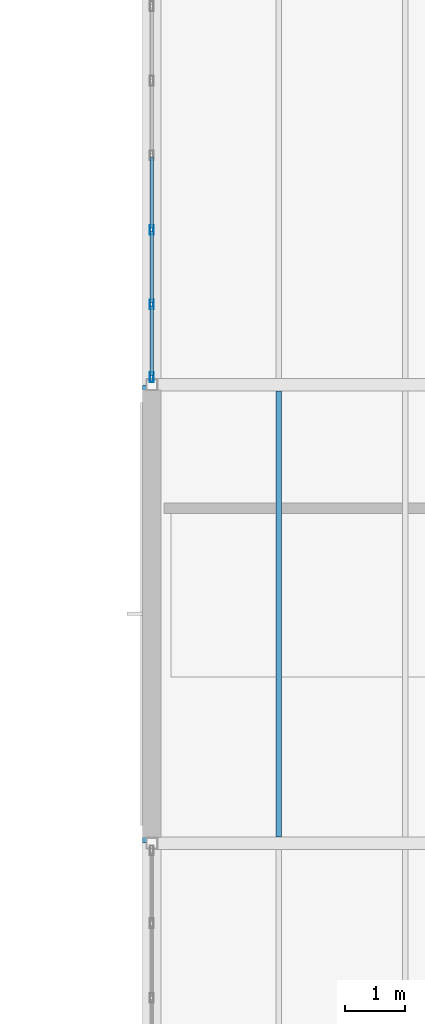
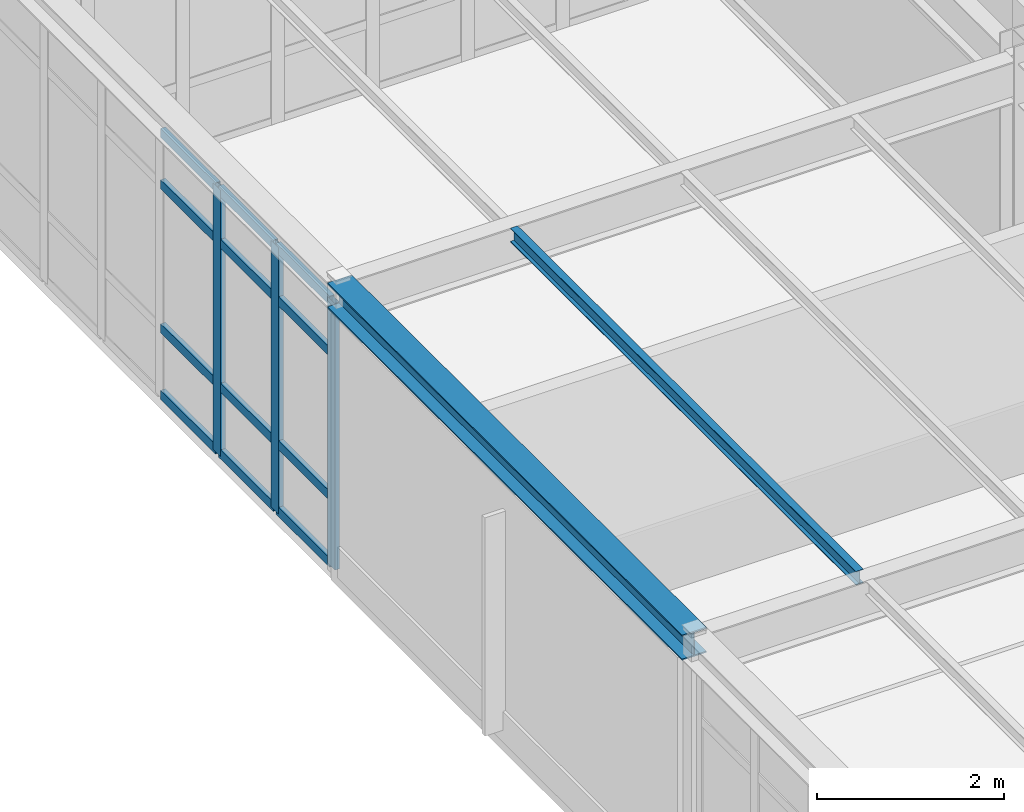
# One storey, part 15 of 65: 15 members, 2 beams, 1 element without a shape of its own.
"""IFC4 building model written with IfcOpenShell, lengths in metres."""

from ifc_helpers import new_model, si_unit, direction, frame, origin, origin_2d, place, context, subcontext, project, spatial, hollow_rectangle, i_section, extrude, material, layer, layer_set, material_profile, profile_set, type_object, element, aggregate, save


model = new_model("IFC4")

# Units and contexts
model_context = context("Model", 3, precision=1e-05, world=origin(), true_north=direction((0.0, 1.0)))
body_context = subcontext(model_context, "Body", "Model", "MODEL_VIEW")
ifc_project = project(units=[si_unit("LENGTHUNIT", "METRE"), si_unit("AREAUNIT", "SQUARE_METRE"), si_unit("VOLUMEUNIT", "CUBIC_METRE"), si_unit("PLANEANGLEUNIT", "RADIAN"), si_unit("MASSUNIT", "GRAM", prefix="KILO")], contexts=[model_context])

# Site, building, storey
site_placement = place(None, origin())
site = spatial("IfcSite", under=ifc_project, at=site_placement, CompositionType="ELEMENT")
building_placement = place(site_placement, origin())
building = spatial("IfcBuilding", under=site, at=building_placement, Name="Montecoro Central Library", CompositionType="ELEMENT")
storey_placement = place(building_placement, frame((0.0, 0.0, 17.340087890625)))
storey = spatial("IfcBuildingStorey", under=building, at=storey_placement, Name="L04", CompositionType="ELEMENT", Elevation=17.340087890625)

# Beams
ifc_material_1 = material(Name="Steel S355", Category="steel")
ifc_material_profile_1 = material_profile(ifc_material_1, i_section(OverallWidth=0.091064453125, OverallDepth=0.179931640625, WebThickness=0.00537109375, FlangeThickness=0.008056640625, at=origin_2d()), Name="IPE 180")
ifc_profile_set_1 = profile_set([ifc_material_profile_1], Name="Steel S355")
beam_type_1 = type_object("IfcBeamType", Name="BM-J-IPE180", PredefinedType="JOIST", material=ifc_profile_set_1)
beam_1_placement = place(storey_placement, frame((68.5, 103.902099609375, 3.73486328125), z_axis=(0.0, 1.0, 0.0), x_axis=(-1.0, 0.0, 0.0)))
element("IfcBeam", 1, at=beam_1_placement, inside=storey, type_object=beam_type_1, Name="V2-L04-JS-910-PQ-1", PredefinedType="JOIST", context=body_context, shape_type="SweptSolid", body=[
    extrude(i_section(OverallWidth=0.091064453125, OverallDepth=0.179931640625, WebThickness=0.00537109375, FlangeThickness=0.008056640625, at=origin_2d()), origin(), (0.0, 0.0, 1.0), 7.39599609375),
])
ifc_material_profile_2 = material_profile(ifc_material_1, i_section(OverallWidth=0.300048828125, OverallDepth=0.330078125, WebThickness=0.009521484375, FlangeThickness=0.0166015625, at=origin_2d()), Name="HEA 340")
ifc_profile_set_2 = profile_set([ifc_material_profile_2], Name="Steel S355")
beam_type_2 = type_object("IfcBeamType", Name="BM-SP-HEA340", PredefinedType="SPANDREL", material=ifc_profile_set_2)
beam_2_placement = place(storey_placement, frame((66.39990234375, 103.804931640625, 3.659912109375), z_axis=(0.0, 1.0, 0.0), x_axis=(-1.0, 0.0, 0.0)))
element("IfcBeam", 2, at=beam_2_placement, inside=storey, type_object=beam_type_2, Name="V2-L04-BY-9-PQ", PredefinedType="SPANDREL", context=body_context, shape_type="SweptSolid", body=[
    extrude(i_section(OverallWidth=0.300048828125, OverallDepth=0.330078125, WebThickness=0.009521484375, FlangeThickness=0.0166015625, at=origin_2d()), origin(), (0.0, 0.0, 1.0), 7.590087890625),
])

# Curtain wall, members
ifc_material_2 = material(Name="Bronze-anodised aluminium and low-E glazing", Category="aluminium")
ifc_layer = layer(ifc_material_2, 0.159912109375)
ifc_layer_set = layer_set([ifc_layer], Name="Bronze-anodised aluminium and low-E glazing")
curtain_wall_type = type_object("IfcCurtainWallType", Name="CWT-023", PredefinedType="NOTDEFINED", material=ifc_layer_set)
curtain_wall_placement = place(storey_placement, origin())
curtain_wall = element("IfcCurtainWall", 3, at=curtain_wall_placement, inside=storey, type_object=curtain_wall_type, Name="V2-L04-CW-W2", PredefinedType="NOTDEFINED")
ifc_material_3 = material(Name="Bronze-anodised aluminium", Category="aluminium")
ifc_material_profile_3 = material_profile(ifc_material_3, hollow_rectangle(XDim=0.06005859375, YDim=0.159912109375, WallThickness=0.00390625, at=origin_2d()), Name="CWM 160x60x4.0")
ifc_profile_set_3 = profile_set([ifc_material_profile_3], Name="Bronze-anodised aluminium")
member_type_1 = type_object("IfcMemberType", Name="CWM-BRZ-60", PredefinedType="MULLION", material=ifc_profile_set_3)
member_1_placement = place(storey_placement, frame((66.39990234375, 113.96435546875, 0.0), z_axis=(0.0, 0.0, 1.0), x_axis=(1.0, 0.0, 0.0)))
member_1 = element("IfcMember", 4, at=member_1_placement, type_object=member_type_1, Name="CW-023 mullion 5", PredefinedType="MULLION", context=body_context, shape_type="SweptSolid", body=[
    extrude(hollow_rectangle(XDim=0.06005859375, YDim=0.159912109375, WallThickness=0.00390625, at=origin_2d()), origin(), (0.0, 0.0, 1.0), 3.47998046875),
])
member_2_placement = place(storey_placement, frame((66.39990234375, 112.728759765625, 0.0), z_axis=(0.0, 0.0, 1.0), x_axis=(1.0, 0.0, 0.0)))
member_2 = element("IfcMember", 5, at=member_2_placement, type_object=member_type_1, Name="CW-023 mullion 6", PredefinedType="MULLION", context=body_context, shape_type="SweptSolid", body=[
    extrude(hollow_rectangle(XDim=0.06005859375, YDim=0.159912109375, WallThickness=0.00390625, at=origin_2d()), origin(), (0.0, 0.0, 1.0), 3.47998046875),
])
member_3_placement = place(storey_placement, frame((66.39990234375, 111.52294921875, 0.0), z_axis=(0.0, 0.0, 1.0), x_axis=(1.0, 0.0, 0.0)))
member_3 = element("IfcMember", 6, at=member_3_placement, type_object=member_type_1, Name="CW-023 mullion 7", PredefinedType="MULLION", context=body_context, shape_type="SweptSolid", body=[
    extrude(hollow_rectangle(XDim=0.06005859375, YDim=0.159912109375, WallThickness=0.00390625, at=origin_2d()), origin(), (0.0, 0.0, 1.0), 3.47998046875),
])
ifc_material_profile_4 = material_profile(ifc_material_3, hollow_rectangle(XDim=0.06005859375, YDim=0.1201171875, WallThickness=0.00390625, at=origin_2d()), Name="CWT 120x60x4.0")
ifc_profile_set_4 = profile_set([ifc_material_profile_4], Name="Bronze-anodised aluminium")
member_type_2 = type_object("IfcMemberType", Name="CWT-BRZ-60", PredefinedType="USERDEFINED", material=ifc_profile_set_4)
member_4_placement = place(storey_placement, frame((66.39990234375, 115.169921875, 0.030029296875), z_axis=(0.0, -1.0, 0.0), x_axis=(1.0, 0.0, 0.0)))
member_4 = element("IfcMember", 7, at=member_4_placement, type_object=member_type_2, Name="CW-023 transom 4.1", ObjectType="TRANSOM", PredefinedType="USERDEFINED", context=body_context, shape_type="SweptSolid", body=[
    extrude(hollow_rectangle(XDim=0.06005859375, YDim=0.1201171875, WallThickness=0.00390625, at=origin_2d()), origin(), (0.0, 0.0, 1.0), 1.175537109375),
])
member_5_placement = place(storey_placement, frame((66.39990234375, 115.169921875, 0.89990234375), z_axis=(0.0, -1.0, 0.0), x_axis=(1.0, 0.0, 0.0)))
member_5 = element("IfcMember", 8, at=member_5_placement, type_object=member_type_2, Name="CW-023 transom 4.2", ObjectType="TRANSOM", PredefinedType="USERDEFINED", context=body_context, shape_type="SweptSolid", body=[
    extrude(hollow_rectangle(XDim=0.06005859375, YDim=0.1201171875, WallThickness=0.00390625, at=origin_2d()), origin(), (0.0, 0.0, 1.0), 1.175537109375),
])
member_6_placement = place(storey_placement, frame((66.39990234375, 115.169921875, 2.780029296875), z_axis=(0.0, -1.0, 0.0), x_axis=(1.0, 0.0, 0.0)))
member_6 = element("IfcMember", 9, at=member_6_placement, type_object=member_type_2, Name="CW-023 transom 4.3", ObjectType="TRANSOM", PredefinedType="USERDEFINED", context=body_context, shape_type="SweptSolid", body=[
    extrude(hollow_rectangle(XDim=0.06005859375, YDim=0.1201171875, WallThickness=0.00390625, at=origin_2d()), origin(), (0.0, 0.0, 1.0), 1.175537109375),
])
member_7_placement = place(storey_placement, frame((66.39990234375, 115.169921875, 3.449951171875), z_axis=(0.0, -1.0, 0.0), x_axis=(1.0, 0.0, 0.0)))
member_7 = element("IfcMember", 10, at=member_7_placement, type_object=member_type_2, Name="CW-023 transom 4.4", ObjectType="TRANSOM", PredefinedType="USERDEFINED", context=body_context, shape_type="SweptSolid", body=[
    extrude(hollow_rectangle(XDim=0.06005859375, YDim=0.1201171875, WallThickness=0.00390625, at=origin_2d()), origin(), (0.0, 0.0, 1.0), 1.175537109375),
])
member_8_placement = place(storey_placement, frame((66.39990234375, 113.934326171875, 0.030029296875), z_axis=(0.0, -1.0, 0.0), x_axis=(1.0, 0.0, 0.0)))
member_8 = element("IfcMember", 11, at=member_8_placement, type_object=member_type_2, Name="CW-023 transom 5.1", ObjectType="TRANSOM", PredefinedType="USERDEFINED", context=body_context, shape_type="SweptSolid", body=[
    extrude(hollow_rectangle(XDim=0.06005859375, YDim=0.1201171875, WallThickness=0.00390625, at=origin_2d()), origin(), (0.0, 0.0, 1.0), 1.17578125),
])
member_9_placement = place(storey_placement, frame((66.39990234375, 113.934326171875, 0.89990234375), z_axis=(0.0, -1.0, 0.0), x_axis=(1.0, 0.0, 0.0)))
member_9 = element("IfcMember", 12, at=member_9_placement, type_object=member_type_2, Name="CW-023 transom 5.2", ObjectType="TRANSOM", PredefinedType="USERDEFINED", context=body_context, shape_type="SweptSolid", body=[
    extrude(hollow_rectangle(XDim=0.06005859375, YDim=0.1201171875, WallThickness=0.00390625, at=origin_2d()), origin(), (0.0, 0.0, 1.0), 1.17578125),
])
member_10_placement = place(storey_placement, frame((66.39990234375, 113.934326171875, 2.780029296875), z_axis=(0.0, -1.0, 0.0), x_axis=(1.0, 0.0, 0.0)))
member_10 = element("IfcMember", 13, at=member_10_placement, type_object=member_type_2, Name="CW-023 transom 5.3", ObjectType="TRANSOM", PredefinedType="USERDEFINED", context=body_context, shape_type="SweptSolid", body=[
    extrude(hollow_rectangle(XDim=0.06005859375, YDim=0.1201171875, WallThickness=0.00390625, at=origin_2d()), origin(), (0.0, 0.0, 1.0), 1.17578125),
])
member_11_placement = place(storey_placement, frame((66.39990234375, 113.934326171875, 3.449951171875), z_axis=(0.0, -1.0, 0.0), x_axis=(1.0, 0.0, 0.0)))
member_11 = element("IfcMember", 14, at=member_11_placement, type_object=member_type_2, Name="CW-023 transom 5.4", ObjectType="TRANSOM", PredefinedType="USERDEFINED", context=body_context, shape_type="SweptSolid", body=[
    extrude(hollow_rectangle(XDim=0.06005859375, YDim=0.1201171875, WallThickness=0.00390625, at=origin_2d()), origin(), (0.0, 0.0, 1.0), 1.17578125),
])
member_12_placement = place(storey_placement, frame((66.39990234375, 112.69873046875, 0.030029296875), z_axis=(0.0, -1.0, 0.0), x_axis=(1.0, 0.0, 0.0)))
member_12 = element("IfcMember", 15, at=member_12_placement, type_object=member_type_2, Name="CW-023 transom 6.1", ObjectType="TRANSOM", PredefinedType="USERDEFINED", context=body_context, shape_type="SweptSolid", body=[
    extrude(hollow_rectangle(XDim=0.06005859375, YDim=0.1201171875, WallThickness=0.00390625, at=origin_2d()), origin(), (0.0, 0.0, 1.0), 1.145751953125),
])
member_13_placement = place(storey_placement, frame((66.39990234375, 112.69873046875, 0.89990234375), z_axis=(0.0, -1.0, 0.0), x_axis=(1.0, 0.0, 0.0)))
member_13 = element("IfcMember", 16, at=member_13_placement, type_object=member_type_2, Name="CW-023 transom 6.2", ObjectType="TRANSOM", PredefinedType="USERDEFINED", context=body_context, shape_type="SweptSolid", body=[
    extrude(hollow_rectangle(XDim=0.06005859375, YDim=0.1201171875, WallThickness=0.00390625, at=origin_2d()), origin(), (0.0, 0.0, 1.0), 1.145751953125),
])
member_14_placement = place(storey_placement, frame((66.39990234375, 112.69873046875, 2.780029296875), z_axis=(0.0, -1.0, 0.0), x_axis=(1.0, 0.0, 0.0)))
member_14 = element("IfcMember", 17, at=member_14_placement, type_object=member_type_2, Name="CW-023 transom 6.3", ObjectType="TRANSOM", PredefinedType="USERDEFINED", context=body_context, shape_type="SweptSolid", body=[
    extrude(hollow_rectangle(XDim=0.06005859375, YDim=0.1201171875, WallThickness=0.00390625, at=origin_2d()), origin(), (0.0, 0.0, 1.0), 1.145751953125),
])
member_15_placement = place(storey_placement, frame((66.39990234375, 112.69873046875, 3.449951171875), z_axis=(0.0, -1.0, 0.0), x_axis=(1.0, 0.0, 0.0)))
member_15 = element("IfcMember", 18, at=member_15_placement, type_object=member_type_2, Name="CW-023 transom 6.4", ObjectType="TRANSOM", PredefinedType="USERDEFINED", context=body_context, shape_type="SweptSolid", body=[
    extrude(hollow_rectangle(XDim=0.06005859375, YDim=0.1201171875, WallThickness=0.00390625, at=origin_2d()), origin(), (0.0, 0.0, 1.0), 1.145751953125),
])
aggregate(curtain_wall, [member_1, member_2, member_3, member_4, member_5, member_6, member_7, member_8, member_9, member_10, member_11, member_12, member_13, member_14, member_15])

save(model, "model.ifc")
